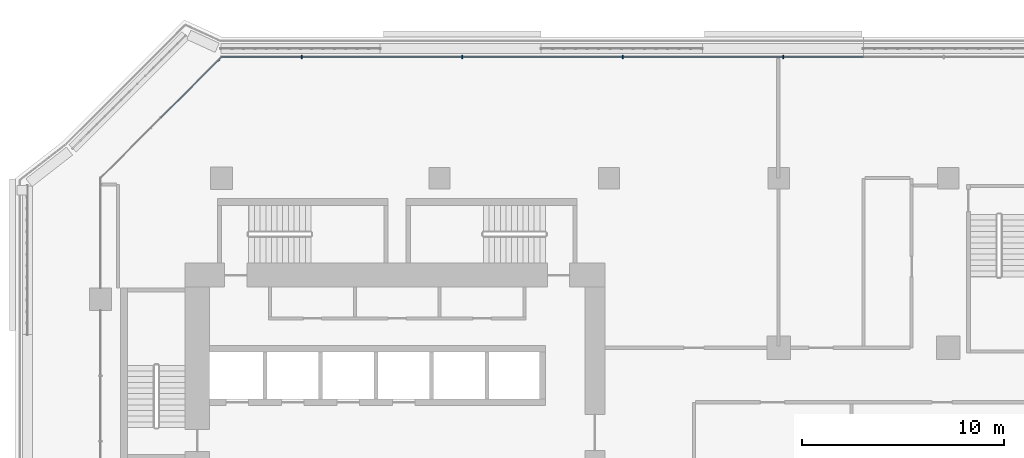
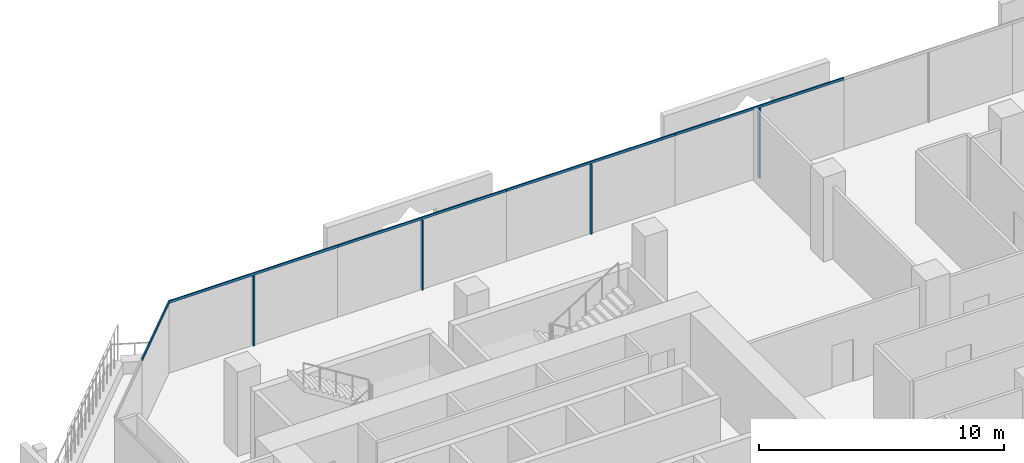
# One storey, part 8 of 25: 9 members, 2 elements without a shape of their own.
"""IFC4 building model written with IfcOpenShell, lengths in metres."""

import ifcopenshell
import ifcopenshell.guid

model = None  # the IFC model being written
_history = None  # IfcOwnerHistory: only IFC2X3 demands one
_inside = {}  # id of a spatial element -> (the spatial element, [elements in it])
_under = {}  # id of a project, library or spatial element -> (it, [spatial elements below it])
_declared = {}  # id of a project -> (the project, [libraries it declares])
_typed = {}  # id of a type object -> (the type object, [elements of that type])
_made_of = {}  # id of a material, layer set ... -> (it, [elements and type objects made of it])


def new_model(schema):
    """Start an empty IFC model of exactly this schema.

    Asked for "IFC4X3", IfcOpenShell would pick the latest addendum, in which some entities
    have other attributes; the version numbers below select the first issue.
    IFC2X3 requires an IfcOwnerHistory on every rooted entity: one is made here for all.
    """
    global model, _history
    if schema == "IFC4X3":
        model = ifcopenshell.file(schema_version=(4, 3, 0, 0))
    else:
        model = ifcopenshell.file(schema=schema)
    _inside.clear()
    _under.clear()
    _declared.clear()
    _typed.clear()
    _made_of.clear()
    _history = None
    if model.schema == "IFC2X3":
        org = make("IfcOrganization", Name="unknown")
        user = make(
            "IfcPersonAndOrganization",
            ThePerson=make("IfcPerson", FamilyName="unknown"),
            TheOrganization=org,
        )
        app = make(
            "IfcApplication",
            ApplicationDeveloper=org,
            Version="unknown",
            ApplicationFullName="unknown",
            ApplicationIdentifier="unknown",
        )
        _history = make(
            "IfcOwnerHistory",
            OwningUser=user,
            OwningApplication=app,
            ChangeAction="ADDED",
            CreationDate=0,
        )
    return model


def make(cls, **values):
    """One entity of the class cls with the attributes given. An attribute that is None is left unset."""
    return model.create_entity(
        cls, **{name: value for name, value in values.items() if value is not None}
    )


def rooted(cls, **values):
    """An entity with a GlobalId (a new one), such as an element, a storey or a relation."""
    return make(cls, GlobalId=ifcopenshell.guid.new(), OwnerHistory=_history, **values)


def si_unit(unit_type, name, prefix=None):
    """IfcSIUnit, for example si_unit("LENGTHUNIT", "METRE", prefix="MILLI")."""
    return make("IfcSIUnit", UnitType=unit_type, Prefix=prefix, Name=name)


def assignment(units):
    """IfcUnitAssignment: the units of a project."""
    return None if units is None else make("IfcUnitAssignment", Units=units)


def point(xyz):
    """IfcCartesianPoint."""
    return None if xyz is None else make("IfcCartesianPoint", Coordinates=xyz)


def direction(xyz):
    """IfcDirection."""
    return None if xyz is None else make("IfcDirection", DirectionRatios=xyz)


def frame(location, z_axis=None, x_axis=None):
    """IfcAxis2Placement3D, a coordinate frame: its origin and axes. An axis left out is left unset."""
    return make(
        "IfcAxis2Placement3D",
        Location=point(location),
        Axis=direction(z_axis),
        RefDirection=direction(x_axis),
    )


def frame_2d(location, x_axis=None):
    """IfcAxis2Placement2D, a coordinate frame in the plane: its origin and x axis."""
    return make(
        "IfcAxis2Placement2D", Location=point(location), RefDirection=direction(x_axis)
    )


def origin():
    """The frame at (0, 0, 0) with its axes left unset."""
    return frame((0.0, 0.0, 0.0))


def origin_2d():
    """The frame at (0, 0) in the plane with its x axis left unset."""
    return frame_2d((0.0, 0.0))


def place(relative_to, where):
    """IfcLocalPlacement: puts the frame where relative to a parent placement (None: the world)."""
    return make(
        "IfcLocalPlacement", PlacementRelTo=relative_to, RelativePlacement=where
    )


def context(
    kind, dimensions, precision=None, world=None, true_north=None, identifier=None
):
    """IfcGeometricRepresentationContext, for example the 3D "Model" context."""
    return make(
        "IfcGeometricRepresentationContext",
        ContextIdentifier=identifier,
        ContextType=kind,
        CoordinateSpaceDimension=dimensions,
        Precision=precision,
        WorldCoordinateSystem=world,
        TrueNorth=true_north,
    )


def subcontext(parent, identifier, kind, view, scale=None):
    """IfcGeometricRepresentationSubContext, for example "Body" below "Model"."""
    return make(
        "IfcGeometricRepresentationSubContext",
        ContextIdentifier=identifier,
        ContextType=kind,
        ParentContext=parent,
        TargetScale=scale,
        TargetView=view,
    )


def project(units=None, contexts=None):
    """IfcProject with its units and contexts."""
    return rooted(
        "IfcProject",
        Name="project",
        RepresentationContexts=contexts,
        UnitsInContext=assignment(units),
    )


def spatial(cls, under=None, at=None, **own):
    """A site, building, storey or space (cls), placed at a placement, below another one or the project."""
    s = rooted(cls, ObjectPlacement=at, **own)
    if under is not None:
        _under.setdefault(under.id(), (under, []))[1].append(s)
    return s


def profile(cls, at=None, kind="AREA", **sizes):
    """A parametric profile (cls). Its sizes go by their IFC names, for example OverallWidth=200.0."""
    return make(cls, ProfileType=kind, Position=at, **sizes)


def rectangle(**sizes):
    """IfcRectangleProfileDef."""
    return profile("IfcRectangleProfileDef", **sizes)


def extrude(swept, where, along, depth):
    """IfcExtrudedAreaSolid: the profile swept, set in the frame where, extruded along a direction by depth."""
    return make(
        "IfcExtrudedAreaSolid",
        SweptArea=swept,
        Position=where,
        ExtrudedDirection=direction(along),
        Depth=depth,
    )


def shape(context_of_items, identifier, shape_type, items):
    """IfcShapeRepresentation: the items that make up one representation, for example the "Body"."""
    return make(
        "IfcShapeRepresentation",
        ContextOfItems=context_of_items,
        RepresentationIdentifier=identifier,
        RepresentationType=shape_type,
        Items=items,
    )


def material(Name=None, Category=None):
    """IfcMaterial."""
    return make("IfcMaterial", Name=Name, Category=Category)


def layer(
    of_material, thickness, ventilated=None, Name=None, Category=None, Priority=None
):
    """IfcMaterialLayer: one layer of a wall or slab, of a material (None: an air gap)."""
    return make(
        "IfcMaterialLayer",
        Material=of_material,
        LayerThickness=thickness,
        IsVentilated=ventilated,
        Name=Name,
        Category=Category,
        Priority=Priority,
    )


def layer_set(layers, Name=None):
    """IfcMaterialLayerSet."""
    return make("IfcMaterialLayerSet", MaterialLayers=layers, LayerSetName=Name)


def material_profile(
    of_material, cross_section, Name=None, Category=None, Priority=None
):
    """IfcMaterialProfile: a cross section and its material."""
    return make(
        "IfcMaterialProfile",
        Name=Name,
        Material=of_material,
        Profile=cross_section,
        Priority=Priority,
        Category=Category,
    )


def profile_set(profiles, Name=None, composite=None):
    """IfcMaterialProfileSet."""
    return make(
        "IfcMaterialProfileSet",
        Name=Name,
        MaterialProfiles=profiles,
        CompositeProfile=composite,
    )


def made_of(thing, what):
    """Note that an element or type object is made of a material, layer set ...; save() writes the relation."""
    if what is not None:
        _made_of.setdefault(what.id(), (what, []))[1].append(thing)
    return thing


def type_object(cls, material=None, **own):
    """A type object (cls), such as IfcWallType, which elements share."""
    return made_of(rooted(cls, **own), material)


def element(
    cls,
    number,
    at=None,
    inside=None,
    cuts=None,
    type_object=None,
    material=None,
    context=None,
    identifier="Body",
    shape_type=None,
    held_by="IfcProductDefinitionShape",
    body=None,
    shapes=None,
    **own,
):
    """One element of the class cls, such as IfcWall. Its Tag is "e" and its number.

    at: its placement. inside: the storey or other place that contains it. cuts: it is an
    opening in that element (IfcRelVoidsElement). A single representation is given by context,
    identifier, shape_type and body (its items); several are given by shapes. held_by: the class
    of the entity that holds the representations. save() writes the other relations.
    """
    e = rooted(cls, Tag="e%d" % number, ObjectPlacement=at, **own)
    if body is not None:
        shapes = [shape(context, identifier, shape_type, body)]
    if shapes is not None:
        e.Representation = make(held_by, Representations=shapes)
    if inside is not None:
        _inside.setdefault(inside.id(), (inside, []))[1].append(e)
    if cuts is not None:
        rooted(
            "IfcRelVoidsElement", RelatingBuildingElement=cuts, RelatedOpeningElement=e
        )
    if type_object is not None:
        _typed.setdefault(type_object.id(), (type_object, []))[1].append(e)
    return made_of(e, material)


def aggregate(whole, parts):
    """IfcRelAggregates: a whole, such as a stair, and the parts it consists of."""
    return rooted("IfcRelAggregates", RelatingObject=whole, RelatedObjects=parts)


def save(model, path):
    """Write the relations noted so far, then the file.

    IfcRelAggregates (storeys below a building ...), IfcRelContainedInSpatialStructure (elements
    in a storey), IfcRelDefinesByType, IfcRelAssociatesMaterial and IfcRelDeclares: one each for
    every whole, place, type object, material and project.
    """
    for whole, parts in _under.values():
        aggregate(whole, parts)
    for where, things in _inside.values():
        rooted(
            "IfcRelContainedInSpatialStructure",
            RelatedElements=things,
            RelatingStructure=where,
        )
    for kind, things in _typed.values():
        rooted("IfcRelDefinesByType", RelatedObjects=things, RelatingType=kind)
    for what, things in _made_of.values():
        rooted("IfcRelAssociatesMaterial", RelatedObjects=things, RelatingMaterial=what)
    for by, libraries in _declared.values():
        rooted("IfcRelDeclares", RelatingContext=by, RelatedDefinitions=libraries)
    model.write(path)


model = new_model("IFC4")

# Units and contexts
model_context = context("Model", 3, precision=1e-05, world=origin(), true_north=direction((0.0, 1.0)))
body_context = subcontext(model_context, "Body", "Model", "MODEL_VIEW")
ifc_project = project(units=[si_unit("LENGTHUNIT", "METRE"), si_unit("AREAUNIT", "SQUARE_METRE"), si_unit("VOLUMEUNIT", "CUBIC_METRE"), si_unit("PLANEANGLEUNIT", "RADIAN"), si_unit("MASSUNIT", "GRAM", prefix="KILO")], contexts=[model_context])

# Site, building, storey
site_placement = place(None, origin())
site = spatial("IfcSite", under=ifc_project, at=site_placement, CompositionType="ELEMENT")
building_placement = place(site_placement, origin())
building = spatial("IfcBuilding", under=site, at=building_placement, Name="Kawkab Arch Medical Tower", CompositionType="ELEMENT")
storey_placement = place(building_placement, frame((0.0, 0.0, 145.0)))
storey = spatial("IfcBuildingStorey", under=building, at=storey_placement, Name="L33", CompositionType="ELEMENT", Elevation=145.0)

# Curtain wall, members
ifc_material_1 = material(Name="Bronze anodised aluminium curtain wall frame", Category="aluminium")
ifc_layer_1 = layer(ifc_material_1, 0.159912109375)
ifc_layer_set_1 = layer_set([ifc_layer_1], Name="Bronze anodised aluminium curtain wall frame")
curtain_wall_type_1 = type_object("IfcCurtainWallType", Name="CW1 ward curtain wall", PredefinedType="NOTDEFINED", material=ifc_layer_set_1)
placement = place(storey_placement, origin())
curtain_wall_1 = element("IfcCurtainWall", 1, at=placement, inside=storey, type_object=curtain_wall_type_1, Name="CW1 Ward curtain wall R11", PredefinedType="NOTDEFINED")
ifc_material_2 = material(Name="Bronze anodised aluminium curtain wall frame", Category="aluminium")
ifc_material_profile_1 = material_profile(ifc_material_2, rectangle(XDim=0.179931640625, YDim=0.06005859375, at=origin_2d()), Name="AL 60x180")
ifc_profile_set_1 = profile_set([ifc_material_profile_1], Name="Bronze anodised aluminium curtain wall frame")
member_type_1 = type_object("IfcMemberType", Name="CW1 mullion 60 x 180", PredefinedType="MULLION", material=ifc_profile_set_1)
member_1_placement = place(storey_placement, frame((33.824951171875, 6.0, 0.0), z_axis=(0.0, 0.0, 1.0), x_axis=(0.0, -1.0, 0.0)))
member_1 = element("IfcMember", 2, at=member_1_placement, type_object=member_type_1, Name="CW1 mullion 5.1", PredefinedType="MULLION", context=body_context, shape_type="SweptSolid", body=[
    extrude(rectangle(XDim=0.179931640625, YDim=0.06005859375, at=origin_2d()), origin(), (0.0, 0.0, 1.0), 3.47998046875),
])
member_2_placement = place(storey_placement, frame((25.875, 6.0, 0.0), z_axis=(0.0, 0.0, 1.0), x_axis=(0.0, -1.0, 0.0)))
member_2 = element("IfcMember", 3, at=member_2_placement, type_object=member_type_1, Name="CW1 mullion 6.1", PredefinedType="MULLION", context=body_context, shape_type="SweptSolid", body=[
    extrude(rectangle(XDim=0.179931640625, YDim=0.06005859375, at=origin_2d()), origin(), (0.0, 0.0, 1.0), 3.47998046875),
])
member_3_placement = place(storey_placement, frame((17.925048828125, 6.0, 0.0), z_axis=(0.0, 0.0, 1.0), x_axis=(0.0, -1.0, 0.0)))
member_3 = element("IfcMember", 4, at=member_3_placement, type_object=member_type_1, Name="CW1 mullion 7.1", PredefinedType="MULLION", context=body_context, shape_type="SweptSolid", body=[
    extrude(rectangle(XDim=0.179931640625, YDim=0.06005859375, at=origin_2d()), origin(), (0.0, 0.0, 1.0), 3.47998046875),
])
member_4_placement = place(storey_placement, frame((9.97509765625, 6.0, 0.0), z_axis=(0.0, 0.0, 1.0), x_axis=(0.0, -1.0, 0.0)))
member_4 = element("IfcMember", 5, at=member_4_placement, type_object=member_type_1, Name="CW1 mullion 8.1", PredefinedType="MULLION", context=body_context, shape_type="SweptSolid", body=[
    extrude(rectangle(XDim=0.179931640625, YDim=0.06005859375, at=origin_2d()), origin(), (0.0, 0.0, 1.0), 3.47998046875),
])
ifc_material_3 = material(Name="Bronze anodised aluminium curtain wall frame", Category="aluminium")
ifc_material_profile_2 = material_profile(ifc_material_3, rectangle(XDim=0.06005859375, YDim=0.1201171875, at=origin_2d()), Name="AL 60x120")
ifc_profile_set_2 = profile_set([ifc_material_profile_2], Name="Bronze anodised aluminium curtain wall frame")
member_type_2 = type_object("IfcMemberType", Name="CW1 transom 120 x 60", PredefinedType="USERDEFINED", material=ifc_profile_set_2)
member_5_placement = place(storey_placement, frame((37.800048828125, 6.0, 3.5400390625), z_axis=(-1.0, 0.0, 0.0), x_axis=(0.0, -1.0, 0.0)))
member_5 = element("IfcMember", 6, at=member_5_placement, type_object=member_type_2, Name="CW1 transom 5", ObjectType="TRANSOM", PredefinedType="USERDEFINED", context=body_context, shape_type="SweptSolid", body=[
    extrude(rectangle(XDim=0.06005859375, YDim=0.1201171875, at=origin_2d()), origin(), (0.0, 0.0, 1.0), 7.949951171875),
])
member_6_placement = place(storey_placement, frame((29.85009765625, 6.0, 3.5400390625), z_axis=(-1.0, 0.0, 0.0), x_axis=(0.0, -1.0, 0.0)))
member_6 = element("IfcMember", 7, at=member_6_placement, type_object=member_type_2, Name="CW1 transom 6", ObjectType="TRANSOM", PredefinedType="USERDEFINED", context=body_context, shape_type="SweptSolid", body=[
    extrude(rectangle(XDim=0.06005859375, YDim=0.1201171875, at=origin_2d()), origin(), (0.0, 0.0, 1.0), 7.9501953125),
])
member_7_placement = place(storey_placement, frame((21.89990234375, 6.0, 3.5400390625), z_axis=(-1.0, 0.0, 0.0), x_axis=(0.0, -1.0, 0.0)))
member_7 = element("IfcMember", 8, at=member_7_placement, type_object=member_type_2, Name="CW1 transom 7", ObjectType="TRANSOM", PredefinedType="USERDEFINED", context=body_context, shape_type="SweptSolid", body=[
    extrude(rectangle(XDim=0.06005859375, YDim=0.1201171875, at=origin_2d()), origin(), (0.0, 0.0, 1.0), 7.949951171875),
])
member_8_placement = place(storey_placement, frame((13.949951171875, 6.0, 3.5400390625), z_axis=(-1.0, 0.0, 0.0), x_axis=(0.0, -1.0, 0.0)))
member_8 = element("IfcMember", 9, at=member_8_placement, type_object=member_type_2, Name="CW1 transom 8", ObjectType="TRANSOM", PredefinedType="USERDEFINED", context=body_context, shape_type="SweptSolid", body=[
    extrude(rectangle(XDim=0.06005859375, YDim=0.1201171875, at=origin_2d()), origin(), (0.0, 0.0, 1.0), 7.949951171875),
])
aggregate(curtain_wall_1, [member_5, member_1, member_6, member_2, member_7, member_3, member_8, member_4])

# Curtain wall, member
ifc_material_4 = material(Name="Bronze anodised aluminium curtain wall frame", Category="aluminium")
ifc_layer_2 = layer(ifc_material_4, 0.159912109375)
ifc_layer_set_2 = layer_set([ifc_layer_2], Name="Bronze anodised aluminium curtain wall frame")
curtain_wall_type_2 = type_object("IfcCurtainWallType", Name="CW2 chamfer curtain wall", PredefinedType="NOTDEFINED", material=ifc_layer_set_2)
curtain_wall_2 = element("IfcCurtainWall", 10, at=placement, inside=storey, type_object=curtain_wall_type_2, Name="CW2 Chamfer curtain wall R12", PredefinedType="NOTDEFINED")
ifc_material_5 = material(Name="Bronze anodised aluminium curtain wall frame", Category="aluminium")
ifc_material_profile_3 = material_profile(ifc_material_5, rectangle(XDim=0.06005859375, YDim=0.139892578125, at=origin_2d()), Name="AL 60x140")
ifc_profile_set_3 = profile_set([ifc_material_profile_3], Name="Bronze anodised aluminium curtain wall frame")
member_type_3 = type_object("IfcMemberType", Name="CW2 transom 140 x 60", PredefinedType="USERDEFINED", material=ifc_profile_set_3)
member_9_placement = place(storey_placement, frame((6.0, 6.0, 3.530029296875), z_axis=(-0.707106781187, -0.707106781187, 0.0), x_axis=(0.707106781187, -0.707106781187, 0.0)))
member_9 = element("IfcMember", 11, at=member_9_placement, type_object=member_type_3, Name="CW2 transom 1", ObjectType="TRANSOM", PredefinedType="USERDEFINED", context=body_context, shape_type="SweptSolid", body=[
    extrude(rectangle(XDim=0.06005859375, YDim=0.139892578125, at=origin_2d()), origin(), (0.0, 0.0, 1.0), 4.24267578125),
])
aggregate(curtain_wall_2, [member_9])

save(model, "model.ifc")
